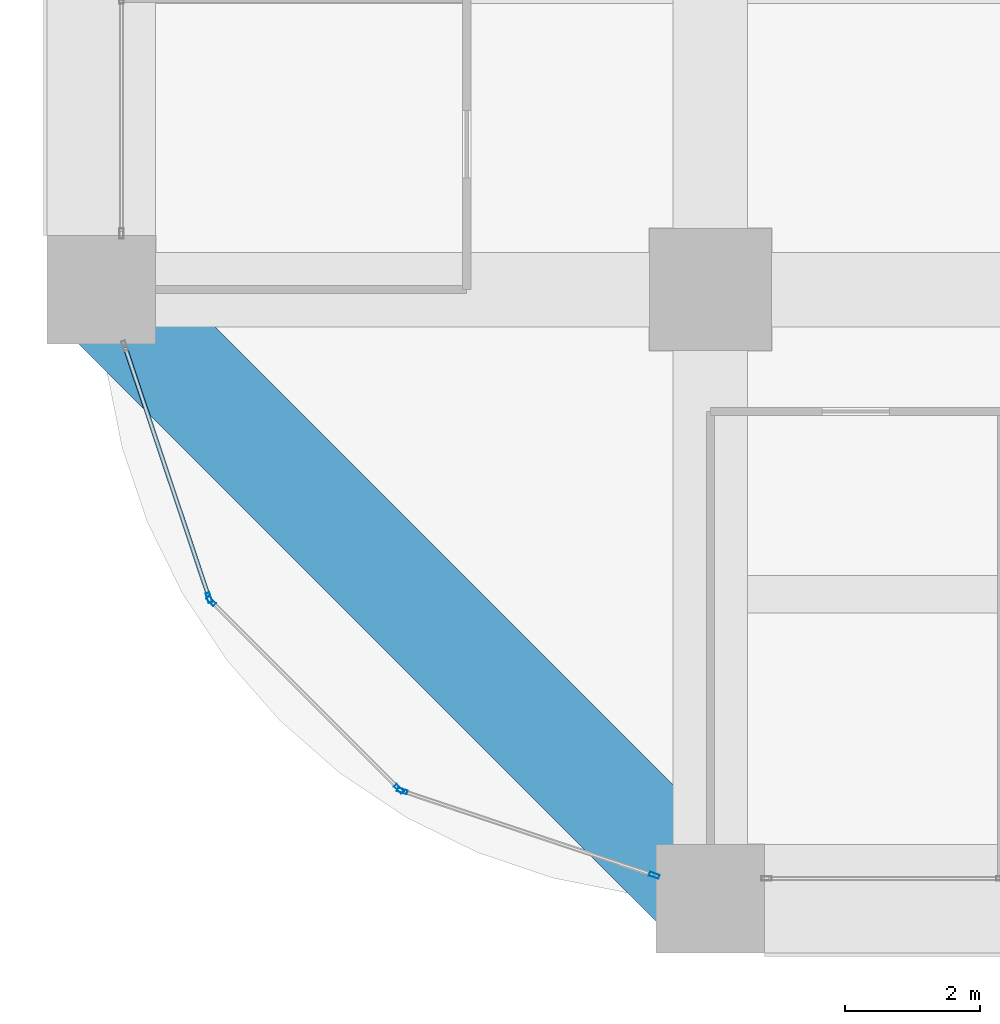
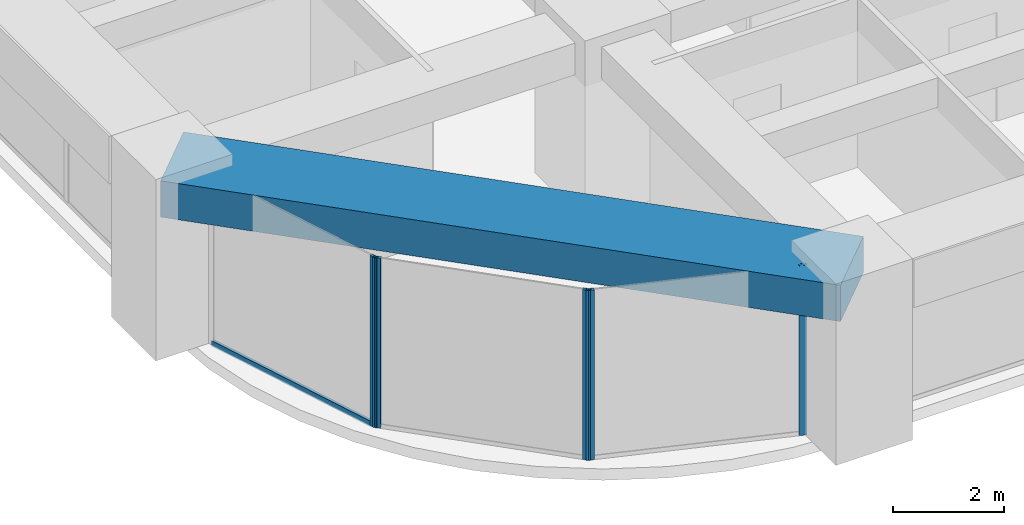
# One storey, part 2 of 43: 6 members, 1 beam, 3 elements without a shape of their own.
"""IFC4 building model written with IfcOpenShell, lengths in metres."""

from ifc_helpers import new_model, si_unit, direction, frame, origin, origin_2d, place, context, subcontext, project, spatial, rectangle, hollow_rectangle, extrude, material, material_profile, profile_set, type_object, element, aggregate, save


model = new_model("IFC4")

# Units and contexts
model_context = context("Model", 3, precision=1e-05, world=origin(), true_north=direction((0.0, 1.0)))
body_context = subcontext(model_context, "Body", "Model", "MODEL_VIEW")
ifc_project = project(units=[si_unit("LENGTHUNIT", "METRE"), si_unit("AREAUNIT", "SQUARE_METRE"), si_unit("VOLUMEUNIT", "CUBIC_METRE"), si_unit("PLANEANGLEUNIT", "RADIAN"), si_unit("MASSUNIT", "GRAM", prefix="KILO")], contexts=[model_context])

# Site, building, storey
site_placement = place(None, origin())
site = spatial("IfcSite", under=ifc_project, at=site_placement, CompositionType="ELEMENT")
building_placement = place(site_placement, origin())
building = spatial("IfcBuilding", under=site, at=building_placement, Name="Zorevar Civic Tower", CompositionType="ELEMENT")
storey_placement = place(building_placement, frame((0.0, 0.0, 141.0)))
storey = spatial("IfcBuildingStorey", under=building, at=storey_placement, Name="L34", CompositionType="ELEMENT", Elevation=141.0)

# Curtain wall, member
ifc_material_1 = material(Name="Dark grey solar-control glass in black aluminium frame", Category="aluminium")
curtain_wall_type = type_object("IfcCurtainWallType", Name="Curtain wall CW3 mid zone", PredefinedType="NOTDEFINED", material=ifc_material_1)
curtain_wall_1_placement = place(storey_placement, origin())
curtain_wall_1 = element("IfcCurtainWall", 1, at=curtain_wall_1_placement, inside=storey, type_object=curtain_wall_type, Name="CW3 L34", PredefinedType="NOTDEFINED")
ifc_material_2 = material(Name="Aluminium, black anodised", Category="aluminium")
ifc_material_profile_1 = material_profile(ifc_material_2, hollow_rectangle(XDim=0.06005859375, YDim=0.14990234375, WallThickness=0.00390625, at=origin_2d()), Name="AL 150x60x4")
ifc_profile_set_1 = profile_set([ifc_material_profile_1], Name="Aluminium, black anodised")
member_type_1 = type_object("IfcMemberType", Name="CW3 mullion AL 150x60x4", PredefinedType="MULLION", material=ifc_profile_set_1)
member_1_placement = place(storey_placement, frame((1.59326171875, 4.44921875, 0.0), z_axis=(0.0, 0.0, 1.0), x_axis=(0.948227238701, 0.317592669603, 0.0)))
member_1 = element("IfcMember", 2, at=member_1_placement, type_object=member_type_1, Name="CW3 mullion 2", PredefinedType="MULLION", context=body_context, shape_type="SweptSolid", body=[
    extrude(hollow_rectangle(XDim=0.06005859375, YDim=0.14990234375, WallThickness=0.00390625, at=origin_2d()), origin(), (0.0, 0.0, 1.0), 3.75),
])

# Curtain wall, members
curtain_wall_2_placement = place(storey_placement, origin())
curtain_wall_2 = element("IfcCurtainWall", 3, at=curtain_wall_2_placement, inside=storey, type_object=curtain_wall_type, Name="CW3 L34", PredefinedType="NOTDEFINED")
member_2_placement = place(storey_placement, frame((1.6240234375, 4.399658203125, 0.0), z_axis=(0.0, 0.0, 1.0), x_axis=(0.707106781187, 0.707106781187, 0.0)))
member_2 = element("IfcMember", 4, at=member_2_placement, type_object=member_type_1, Name="CW3 mullion 1", PredefinedType="MULLION", context=body_context, shape_type="SweptSolid", body=[
    extrude(hollow_rectangle(XDim=0.06005859375, YDim=0.14990234375, WallThickness=0.00390625, at=origin_2d()), origin(), (0.0, 0.0, 1.0), 3.75),
])
member_3_placement = place(storey_placement, frame((4.399658203125, 1.6240234375, 0.0), z_axis=(0.0, 0.0, 1.0), x_axis=(0.707106781187, 0.707106781187, 0.0)))
member_3 = element("IfcMember", 5, at=member_3_placement, type_object=member_type_1, Name="CW3 mullion 2", PredefinedType="MULLION", context=body_context, shape_type="SweptSolid", body=[
    extrude(hollow_rectangle(XDim=0.06005859375, YDim=0.14990234375, WallThickness=0.00390625, at=origin_2d()), origin(), (0.0, 0.0, 1.0), 3.75),
])
aggregate(curtain_wall_2, [member_2, member_3])

curtain_wall_3_placement = place(storey_placement, origin())
curtain_wall_3 = element("IfcCurtainWall", 6, at=curtain_wall_3_placement, inside=storey, type_object=curtain_wall_type, Name="CW3 L34", PredefinedType="NOTDEFINED")
member_4_placement = place(storey_placement, frame((4.44921875, 1.59326171875, 0.0), z_axis=(0.0, 0.0, 1.0), x_axis=(0.317592669603, 0.948227238701, 0.0)))
member_4 = element("IfcMember", 7, at=member_4_placement, type_object=member_type_1, Name="CW3 mullion 1", PredefinedType="MULLION", context=body_context, shape_type="SweptSolid", body=[
    extrude(hollow_rectangle(XDim=0.06005859375, YDim=0.14990234375, WallThickness=0.00390625, at=origin_2d()), origin(), (0.0, 0.0, 1.0), 3.75),
])
member_5_placement = place(storey_placement, frame((8.171630859375, 0.346435546875, 0.0), z_axis=(0.0, 0.0, 1.0), x_axis=(0.317592669603, 0.948227238701, 0.0)))
member_5 = element("IfcMember", 8, at=member_5_placement, type_object=member_type_1, Name="CW3 mullion 2", PredefinedType="MULLION", context=body_context, shape_type="SweptSolid", body=[
    extrude(hollow_rectangle(XDim=0.06005859375, YDim=0.14990234375, WallThickness=0.00390625, at=origin_2d()), origin(), (0.0, 0.0, 1.0), 3.75),
])
aggregate(curtain_wall_3, [member_4, member_5])

# Member
ifc_material_3 = material(Name="Aluminium, black anodised", Category="aluminium")
ifc_material_profile_2 = material_profile(ifc_material_3, hollow_rectangle(XDim=0.06005859375, YDim=0.1201171875, WallThickness=0.0029296875, at=origin_2d()), Name="AL 120x60x3")
ifc_profile_set_2 = profile_set([ifc_material_profile_2], Name="Aluminium, black anodised")
member_type_2 = type_object("IfcMemberType", Name="CW3 transom AL 120x60x3", PredefinedType="USERDEFINED", material=ifc_profile_set_2)
member_6_placement = place(storey_placement, frame((0.35595703125, 8.14306640625, 0.030029296875), z_axis=(0.317629563458, -0.94821488093, 0.0), x_axis=(0.94821488093, 0.317629563458, 0.0)))
member_6 = element("IfcMember", 9, at=member_6_placement, type_object=member_type_2, Name="CW3 sill transom", ObjectType="TRANSOM", PredefinedType="USERDEFINED", context=body_context, shape_type="SweptSolid", body=[
    extrude(hollow_rectangle(XDim=0.06005859375, YDim=0.1201171875, WallThickness=0.0029296875, at=origin_2d()), origin(), (0.0, 0.0, 1.0), 3.865478515625),
])

aggregate(curtain_wall_1, [member_1, member_6])

# Beam
ifc_material_4 = material(Name="Concrete C50/60", Category="concrete")
ifc_material_profile_3 = material_profile(ifc_material_4, rectangle(XDim=1.60009765625, YDim=0.800048828125, at=origin_2d()), Name="RC 1600x800")
ifc_profile_set_3 = profile_set([ifc_material_profile_3], Name="Concrete C50/60")
beam_type = type_object("IfcBeamType", Name="Edge beam RC 1600x800", PredefinedType="SPANDREL", material=ifc_profile_set_3)
beam_placement = place(storey_placement, frame((0.0, 9.0, 3.35009765625), z_axis=(0.707106781187, -0.707106781187, 0.0), x_axis=(0.707106781187, 0.707106781187, 0.0)))
element("IfcBeam", 10, at=beam_placement, inside=storey, type_object=beam_type, Name="Corner edge beam L35", PredefinedType="SPANDREL", context=body_context, shape_type="SweptSolid", body=[
    extrude(rectangle(XDim=1.60009765625, YDim=0.800048828125, at=origin_2d()), origin(), (0.0, 0.0, 1.0), 12.72802734375),
])

save(model, "model.ifc")
